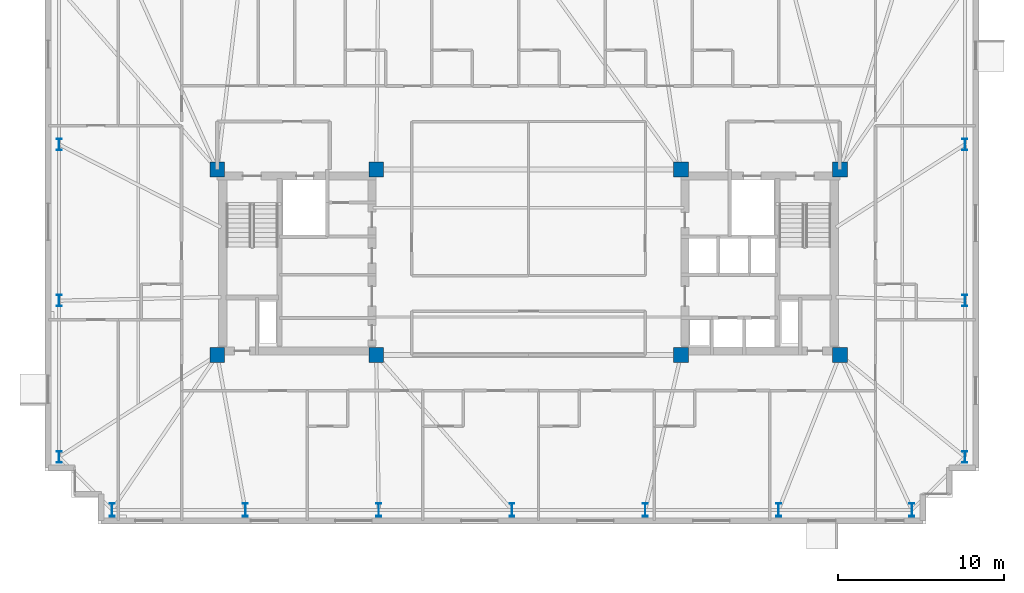
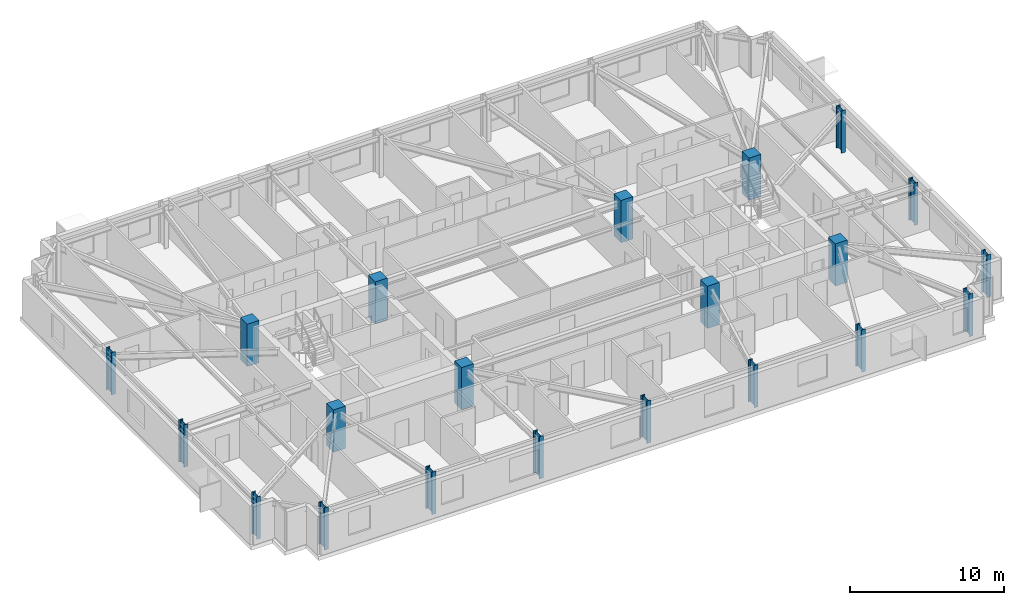
# One storey, part 1 of 17: 21 columns.
"""IFC4 building model written with IfcOpenShell, lengths in metres."""

from ifc_helpers import new_model, si_unit, direction, frame, origin, origin_2d, place, context, subcontext, project, spatial, rectangle, i_section, extrude, material, material_profile, profile_set, type_object, element, save


model = new_model("IFC4")

# Units and contexts
model_context = context("Model", 3, precision=1e-05, world=origin(), true_north=direction((0.0, 1.0)))
body_context = subcontext(model_context, "Body", "Model", "MODEL_VIEW")
ifc_project = project(units=[si_unit("LENGTHUNIT", "METRE"), si_unit("AREAUNIT", "SQUARE_METRE"), si_unit("VOLUMEUNIT", "CUBIC_METRE"), si_unit("PLANEANGLEUNIT", "RADIAN"), si_unit("MASSUNIT", "GRAM", prefix="KILO")], contexts=[model_context])

# Site, building, storey
site_placement = place(None, origin())
site = spatial("IfcSite", under=ifc_project, at=site_placement, CompositionType="ELEMENT")
building_placement = place(site_placement, origin())
building = spatial("IfcBuilding", under=site, at=building_placement, Name="Qobustan Lattice House", CompositionType="ELEMENT")
storey_placement = place(building_placement, frame((0.0, 0.0, 144.39990234375)))
storey = spatial("IfcBuildingStorey", under=building, at=storey_placement, Name="L40", CompositionType="ELEMENT", Elevation=144.39990234375)

# Columns
ifc_material_1 = material(Name="Concrete C50/60", Category="concrete")
ifc_material_profile_1 = material_profile(ifc_material_1, rectangle(XDim=0.89990234375, YDim=0.89990234375, at=origin_2d()), Name="RC900x900")
ifc_profile_set_1 = profile_set([ifc_material_profile_1], Name="Concrete C50/60")
column_type_1 = type_object("IfcColumnType", Name="COL-RC-900", PredefinedType="COLUMN", material=ifc_profile_set_1)
for number, where, z_axis, x_axis, name in (
    (1, (-18.800048828125, -5.60009765625, 0.0), (0.0, 0.0, 1.0), (1.0, 0.0, 0.0), "L40 core mega-column CW-SW"),
    (2, (-18.800048828125, 5.60009765625, 0.0), (0.0, 0.0, 1.0), (1.0, 0.0, 0.0), "L40 core mega-column CW-NW"),
    (3, (-9.199951171875, -5.60009765625, 0.0), (0.0, 0.0, 1.0), (1.0, 0.0, 0.0), "L40 core mega-column CW-SE"),
    (4, (-9.199951171875, 5.60009765625, 0.0), (0.0, 0.0, 1.0), (1.0, 0.0, 0.0), "L40 core mega-column CW-NE"),
    (5, (9.199951171875, -5.60009765625, 0.0), (0.0, 0.0, 1.0), (1.0, 0.0, 0.0), "L40 core mega-column CE-SW"),
    (6, (9.199951171875, 5.60009765625, 0.0), (0.0, 0.0, 1.0), (1.0, 0.0, 0.0), "L40 core mega-column CE-NW"),
    (7, (18.800048828125, -5.60009765625, 0.0), (0.0, 0.0, 1.0), (1.0, 0.0, 0.0), "L40 core mega-column CE-SE"),
    (8, (18.800048828125, 5.60009765625, 0.0), (0.0, 0.0, 1.0), (1.0, 0.0, 0.0), "L40 core mega-column CE-NE"),
):
    element("IfcColumn", number, at=place(storey_placement, frame(where, z_axis=z_axis, x_axis=x_axis)), inside=storey, type_object=column_type_1, Name=name, PredefinedType="COLUMN", context=body_context, shape_type="SweptSolid", body=[
        extrude(rectangle(XDim=0.89990234375, YDim=0.89990234375, at=origin_2d()), origin(), (0.0, 0.0, 1.0), 3.35009765625),
    ])
ifc_material_2 = material(Name="Steel S355", Category="steel")
ifc_material_profile_2 = material_profile(ifc_material_2, i_section(OverallWidth=0.300048828125, OverallDepth=0.699951171875, WebThickness=0.01708984375, FlangeThickness=0.031982421875, FilletRadius=0.027099609375, at=origin_2d()), Name="HEB700")
ifc_profile_set_2 = profile_set([ifc_material_profile_2], Name="Steel S355")
column_type_2 = type_object("IfcColumnType", Name="COL-ST-HEB700", PredefinedType="COLUMN", material=ifc_profile_set_2)
for number, where, z_axis, x_axis, name in (
    (9, (26.35009765625, -11.75, 0.0), (0.0, 0.0, 1.0), (1.0, 0.0, 0.0), "L40 B3 perimeter column E1"),
    (10, (26.35009765625, -2.316650390625, 0.0), (0.0, 0.0, 1.0), (1.0, 0.0, 0.0), "L40 B3 perimeter column E2"),
    (11, (26.35009765625, 7.11669921875, 0.0), (0.0, 0.0, 1.0), (1.0, 0.0, 0.0), "L40 B3 perimeter column E3"),
    (12, (-28.35009765625, 7.11669921875, 0.0), (0.0, 0.0, 1.0), (1.0, 0.0, 0.0), "L40 B3 perimeter column W2"),
    (13, (-28.35009765625, -2.316650390625, 0.0), (0.0, 0.0, 1.0), (1.0, 0.0, 0.0), "L40 B3 perimeter column W3"),
    (14, (-28.35009765625, -11.75, 0.0), (0.0, 0.0, 1.0), (1.0, 0.0, 0.0), "L40 B3 perimeter column W4"),
):
    element("IfcColumn", number, at=place(storey_placement, frame(where, z_axis=z_axis, x_axis=x_axis)), inside=storey, type_object=column_type_2, Name=name, PredefinedType="COLUMN", context=body_context, shape_type="SweptSolid", body=[
        extrude(i_section(OverallWidth=0.300048828125, OverallDepth=0.699951171875, WebThickness=0.01708984375, FlangeThickness=0.031982421875, FilletRadius=0.027099609375, at=origin_2d()), origin(), (0.0, 0.0, 1.0), 3.35009765625),
    ])
ifc_material_3 = material(Name="Steel S355", Category="steel")
ifc_material_profile_3 = material_profile(ifc_material_3, i_section(OverallWidth=0.300048828125, OverallDepth=0.800048828125, WebThickness=0.017578125, FlangeThickness=0.032958984375, FilletRadius=0.030029296875, at=origin_2d()), Name="HEB800")
ifc_profile_set_3 = profile_set([ifc_material_profile_3], Name="Steel S355")
column_type_3 = type_object("IfcColumnType", Name="COL-ST-HEB800", PredefinedType="COLUMN", material=ifc_profile_set_3)
for number, where, z_axis, x_axis, name in (
    (15, (-25.14990234375, -14.949951171875, 0.0), (0.0, 0.0, 1.0), (1.0, 0.0, 0.0), "L40 B3 perimeter column S1"),
    (16, (-17.10009765625, -14.949951171875, 0.0), (0.0, 0.0, 1.0), (1.0, 0.0, 0.0), "L40 B3 perimeter column S2"),
    (17, (-9.050048828125, -14.949951171875, 0.0), (0.0, 0.0, 1.0), (1.0, 0.0, 0.0), "L40 B3 perimeter column S3"),
    (18, (-1.0, -14.949951171875, 0.0), (0.0, 0.0, 1.0), (1.0, 0.0, 0.0), "L40 B3 perimeter column S4"),
    (19, (7.050048828125, -14.949951171875, 0.0), (0.0, 0.0, 1.0), (1.0, 0.0, 0.0), "L40 B3 perimeter column S5"),
    (20, (15.10009765625, -14.949951171875, 0.0), (0.0, 0.0, 1.0), (1.0, 0.0, 0.0), "L40 B3 perimeter column S6"),
    (21, (23.14990234375, -14.949951171875, 0.0), (0.0, 0.0, 1.0), (1.0, 0.0, 0.0), "L40 B3 perimeter column S7"),
):
    element("IfcColumn", number, at=place(storey_placement, frame(where, z_axis=z_axis, x_axis=x_axis)), inside=storey, type_object=column_type_3, Name=name, PredefinedType="COLUMN", context=body_context, shape_type="SweptSolid", body=[
        extrude(i_section(OverallWidth=0.300048828125, OverallDepth=0.800048828125, WebThickness=0.017578125, FlangeThickness=0.032958984375, FilletRadius=0.030029296875, at=origin_2d()), origin(), (0.0, 0.0, 1.0), 3.35009765625),
    ])

save(model, "model.ifc")
